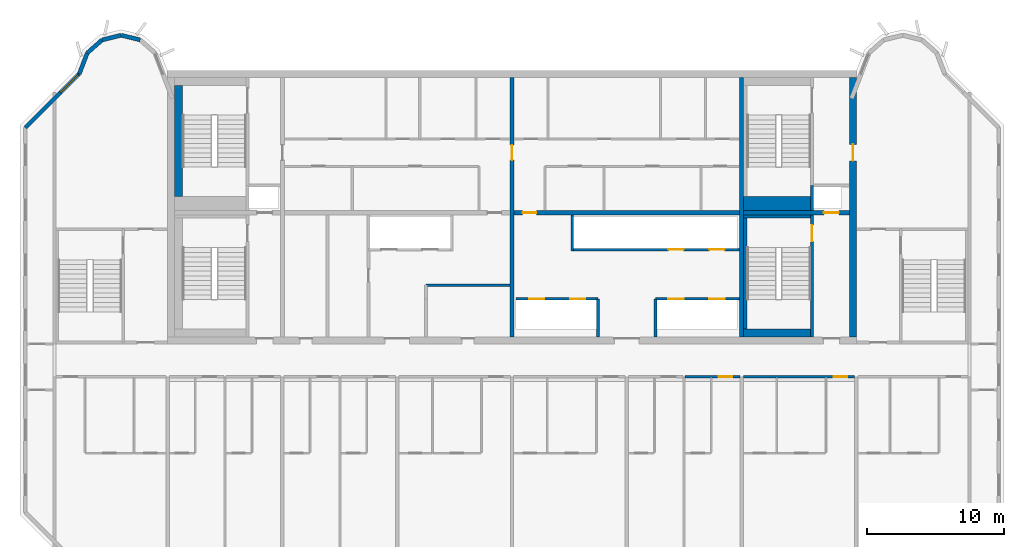
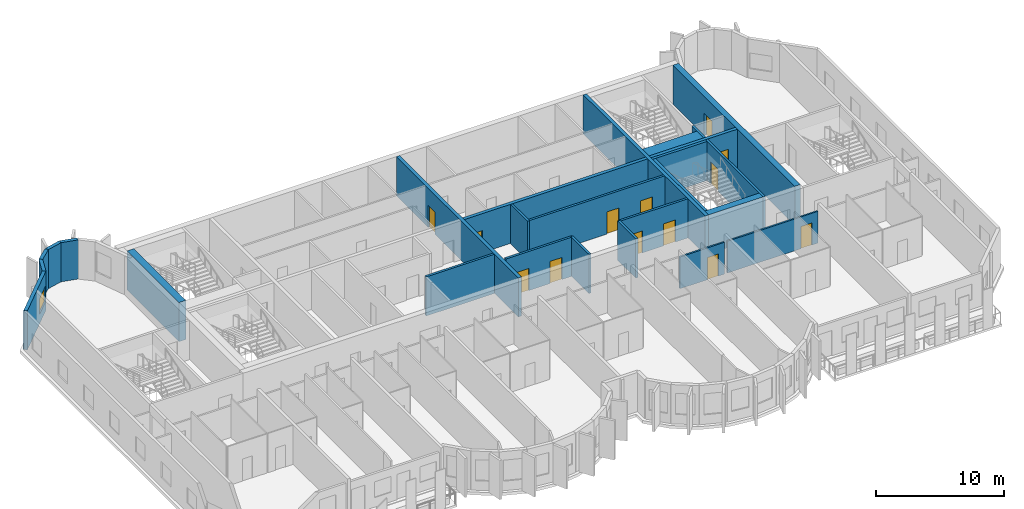
# One storey, part 6 of 12: 26 walls, 13 doors, 1 window, 14 openings.
"""IFC4 building model written with IfcOpenShell, lengths in metres."""

from ifc_helpers import new_model, si_unit, direction, frame, frame_2d, origin, place, context, subcontext, project, spatial, rectangle, extrude, source, transform, mapped, material, layer, layer_set, type_object, element, fill, save


model = new_model("IFC4")

# Units and contexts
model_context = context("Model", 3, precision=1e-05, world=origin(), true_north=direction((0.0, 1.0)))
body_context = subcontext(model_context, "Body", "Model", "MODEL_VIEW")
ifc_project = project(units=[si_unit("LENGTHUNIT", "METRE"), si_unit("AREAUNIT", "SQUARE_METRE"), si_unit("VOLUMEUNIT", "CUBIC_METRE"), si_unit("PLANEANGLEUNIT", "RADIAN"), si_unit("MASSUNIT", "GRAM", prefix="KILO")], contexts=[model_context])

# Site, building, storey
site_placement = place(None, origin())
site = spatial("IfcSite", under=ifc_project, at=site_placement, CompositionType="ELEMENT")
building_placement = place(site_placement, origin())
building = spatial("IfcBuilding", under=site, at=building_placement, Name="Vanashikhar Sky Hotel", CompositionType="ELEMENT")
storey_placement = place(building_placement, frame((0.0, 0.0, 293.699951171875)))
storey = spatial("IfcBuildingStorey", under=building, at=storey_placement, Name="L70", CompositionType="ELEMENT", Elevation=293.699951171875)

# Wall, opening, door
ifc_material_1 = material(Name="Concrete M50", Category="concrete")
ifc_layer_1 = layer(ifc_material_1, 0.5)
ifc_layer_set_1 = layer_set([ifc_layer_1], Name="RC core shell wall 500 Concrete M50")
wall_type_1 = type_object("IfcWallType", Name="RC core shell wall 500 Concrete M50", PredefinedType="SHEAR", material=ifc_layer_set_1)
shared_shape_1 = source(origin(), body_context, "Body", "SweptSolid", [
    extrude(rectangle(XDim=19.0, YDim=0.5, at=frame_2d((9.5, 0.0))), origin(), (0.0, 0.0, 1.0), 3.719970703125),
])
wall_1_placement = place(storey_placement, frame((75.35009765625, 22.5, 0.0), z_axis=(0.0, 0.0, 1.0), x_axis=(0.0, 1.0, 0.0)))
wall_1 = element("IfcWall", 1, at=wall_1_placement, inside=storey, type_object=wall_type_1, Name="KW-L70-KE", PredefinedType="SHEAR", context=body_context, shape_type="MappedRepresentation", body=[
    mapped(shared_shape_1, transform((0.0, 0.0, 0.0), scale=1.0)),
])
shared_shape_2 = source(origin(), body_context, "Body", "SweptSolid", [
    extrude(rectangle(XDim=1.199951171875, YDim=2.10009765625, at=frame_2d((0.60009765625, 1.050048828125))), frame((0.0, 0.260009765625, 0.0), z_axis=(0.0, -1.0, 0.0), x_axis=(1.0, 0.0, 0.0)), (0.0, 0.0, 1.0), 0.52001953125),
])
opening_1_placement = place(wall_1_placement, frame((12.89990234375, 0.0, 0.0)))
opening_1 = element("IfcOpeningElement", 2, at=opening_1_placement, cuts=wall_1, Name="Opening DC-4-D", PredefinedType="OPENING", context=body_context, shape_type="MappedRepresentation", body=[
    mapped(shared_shape_2, transform((0.0, 0.0, 0.0), scale=1.0)),
])
ifc_material_2 = material(Name="Steel", Category="steel")
door_type_1 = type_object("IfcDoorType", Name="Service door 1200 FD120", OperationType="NOTDEFINED", PredefinedType="DOOR", material=ifc_material_2)
shared_shape_3 = source(origin(), body_context, "Body", "SweptSolid", [
    extrude(rectangle(XDim=1.199951171875, YDim=2.10009765625, at=frame_2d((0.60009765625, 1.050048828125))), frame((0.0, 0.02490234375, 0.0), z_axis=(0.0, -1.0, 0.0), x_axis=(1.0, 0.0, 0.0)), (0.0, 0.0, 1.0), 0.050048828125),
])
door_1_placement = place(opening_1_placement, origin())
door_1 = element("IfcDoor", 3, at=door_1_placement, inside=storey, type_object=door_type_1, Name="Service door 1200 FD120", OperationType="SINGLE_SWING_LEFT", OverallHeight=2.10009765625, OverallWidth=1.199951171875, PredefinedType="DOOR", context=body_context, shape_type="MappedRepresentation", body=[
    mapped(shared_shape_3, transform((0.0, 0.0, 0.0), scale=1.0)),
])
fill(opening_1, door_1)

ifc_layer_2 = layer(ifc_material_1, 0.300048828125)
ifc_layer_set_2 = layer_set([ifc_layer_2], Name="RC core inner wall 300 Concrete M50")
wall_type_2 = type_object("IfcWallType", Name="RC core inner wall 300 Concrete M50", PredefinedType="SHEAR", material=ifc_layer_set_2)
shared_shape_4 = source(origin(), body_context, "Body", "SweptSolid", [
    extrude(rectangle(XDim=19.0, YDim=0.300048828125, at=frame_2d((9.5, 0.0))), origin(), (0.0, 0.0, 1.0), 3.719970703125),
])
wall_2_placement = place(storey_placement, frame((50.39990234375, 22.5, 0.0), z_axis=(0.0, 0.0, 1.0), x_axis=(0.0, 1.0, 0.0)))
wall_2 = element("IfcWall", 4, at=wall_2_placement, inside=storey, type_object=wall_type_2, Name="KW-L70-KX2", PredefinedType="SHEAR", context=body_context, shape_type="MappedRepresentation", body=[
    mapped(shared_shape_4, transform((0.0, 0.0, 0.0), scale=1.0)),
])
shared_shape_5 = source(origin(), body_context, "Body", "SweptSolid", [
    extrude(rectangle(XDim=1.10009765625, YDim=2.10009765625, at=frame_2d((0.550048828125, 1.050048828125))), frame((0.0, 0.16015625, 0.0), z_axis=(0.0, -1.0, 0.0), x_axis=(1.0, 0.0, 0.0)), (0.0, 0.0, 1.0), 0.320068359375),
])
opening_2_placement = place(wall_2_placement, frame((12.949951171875, 0.0, 0.0)))
opening_2 = element("IfcOpeningElement", 5, at=opening_2_placement, cuts=wall_2, Name="Opening DC-4-C", PredefinedType="OPENING", context=body_context, shape_type="MappedRepresentation", body=[
    mapped(shared_shape_5, transform((0.0, 0.0, 0.0), scale=1.0)),
])
door_type_2 = type_object("IfcDoorType", Name="Service door 1100 FD60", OperationType="NOTDEFINED", PredefinedType="DOOR", material=ifc_material_2)
shared_shape_6 = source(origin(), body_context, "Body", "SweptSolid", [
    extrude(rectangle(XDim=1.10009765625, YDim=2.10009765625, at=frame_2d((0.550048828125, 1.050048828125))), frame((0.0, 0.02490234375, 0.0), z_axis=(0.0, -1.0, 0.0), x_axis=(1.0, 0.0, 0.0)), (0.0, 0.0, 1.0), 0.050048828125),
])
door_2_placement = place(opening_2_placement, origin())
door_2 = element("IfcDoor", 6, at=door_2_placement, inside=storey, type_object=door_type_2, Name="Service door 1100 FD60", OperationType="SINGLE_SWING_LEFT", OverallHeight=2.10009765625, OverallWidth=1.10009765625, PredefinedType="DOOR", context=body_context, shape_type="MappedRepresentation", body=[
    mapped(shared_shape_6, transform((0.0, 0.0, 0.0), scale=1.0)),
])
fill(opening_2, door_2)

# Wall
wall_3_placement = place(storey_placement, frame((67.199951171875, 22.5, 0.0), z_axis=(0.0, 0.0, 1.0), x_axis=(0.0, 1.0, 0.0)))
element("IfcWall", 7, at=wall_3_placement, inside=storey, type_object=wall_type_2, Name="KW-L70-KX3", PredefinedType="SHEAR", context=body_context, shape_type="MappedRepresentation", body=[
    mapped(shared_shape_4, transform((0.0, 0.0, 0.0), scale=1.0)),
])

# Wall, opening, door
shared_shape_7 = source(origin(), body_context, "Body", "SweptSolid", [
    extrude(rectangle(XDim=7.75, YDim=0.300048828125, at=frame_2d((3.875, 0.0))), origin(), (0.0, 0.0, 1.0), 3.719970703125),
])
wall_4_placement = place(storey_placement, frame((67.35009765625, 31.60009765625, 0.0), z_axis=(0.0, 0.0, 1.0), x_axis=(1.0, 0.0, 0.0)))
wall_4 = element("IfcWall", 8, at=wall_4_placement, inside=storey, type_object=wall_type_2, Name="KW-L70-KY4", PredefinedType="SHEAR", context=body_context, shape_type="MappedRepresentation", body=[
    mapped(shared_shape_7, transform((0.0, 0.0, 0.0), scale=1.0)),
])
opening_3_placement = place(wall_4_placement, frame((5.875, 0.0, 0.0)))
opening_3 = element("IfcOpeningElement", 9, at=opening_3_placement, cuts=wall_4, Name="Opening LD", PredefinedType="OPENING", context=body_context, shape_type="MappedRepresentation", body=[
    mapped(shared_shape_5, transform((0.0, 0.0, 0.0), scale=1.0)),
])
ifc_material_3 = material(Name="Stainless steel", Category="steel")
door_type_3 = type_object("IfcDoorType", Name="Lift landing door 1100", OperationType="NOTDEFINED", PredefinedType="DOOR", material=ifc_material_3)
door_3_placement = place(opening_3_placement, origin())
door_3 = element("IfcDoor", 10, at=door_3_placement, inside=storey, type_object=door_type_3, Name="Lift landing door 1100", OperationType="SLIDING_TO_LEFT", OverallHeight=2.10009765625, OverallWidth=1.10009765625, PredefinedType="DOOR", context=body_context, shape_type="MappedRepresentation", body=[
    mapped(shared_shape_6, transform((0.0, 0.0, 0.0), scale=1.0)),
])
fill(opening_3, door_3)

shared_shape_8 = source(origin(), body_context, "Body", "SweptSolid", [
    extrude(rectangle(XDim=16.5, YDim=0.300048828125, at=frame_2d((8.25, 0.0))), origin(), (0.0, 0.0, 1.0), 3.719970703125),
])
wall_5_placement = place(storey_placement, frame((50.550048828125, 31.60009765625, 0.0), z_axis=(0.0, 0.0, 1.0), x_axis=(1.0, 0.0, 0.0)))
wall_5 = element("IfcWall", 11, at=wall_5_placement, inside=storey, type_object=wall_type_2, Name="KW-L70-KY3", PredefinedType="SHEAR", context=body_context, shape_type="MappedRepresentation", body=[
    mapped(shared_shape_8, transform((0.0, 0.0, 0.0), scale=1.0)),
])
shared_shape_9 = source(origin(), body_context, "Body", "SweptSolid", [
    extrude(rectangle(XDim=1.0, YDim=2.10009765625, at=frame_2d((0.5, 1.050048828125))), frame((0.0, 0.16015625, 0.0), z_axis=(0.0, -1.0, 0.0), x_axis=(1.0, 0.0, 0.0)), (0.0, 0.0, 1.0), 0.320068359375),
])
opening_4_placement = place(wall_5_placement, frame((0.625, 0.0, 0.0)))
opening_4 = element("IfcOpeningElement", 12, at=opening_4_placement, cuts=wall_5, Name="Opening DC-4", PredefinedType="OPENING", context=body_context, shape_type="MappedRepresentation", body=[
    mapped(shared_shape_9, transform((0.0, 0.0, 0.0), scale=1.0)),
])
door_type_4 = type_object("IfcDoorType", Name="Service door 1000 FD60", OperationType="NOTDEFINED", PredefinedType="DOOR", material=ifc_material_2)
shared_shape_10 = source(origin(), body_context, "Body", "SweptSolid", [
    extrude(rectangle(XDim=1.0, YDim=2.10009765625, at=frame_2d((0.5, 1.050048828125))), frame((0.0, 0.02490234375, 0.0), z_axis=(0.0, -1.0, 0.0), x_axis=(1.0, 0.0, 0.0)), (0.0, 0.0, 1.0), 0.050048828125),
])
door_4_placement = place(opening_4_placement, origin())
door_4 = element("IfcDoor", 13, at=door_4_placement, inside=storey, type_object=door_type_4, Name="Service door 1000 FD60", OperationType="SINGLE_SWING_RIGHT", OverallHeight=2.10009765625, OverallWidth=1.0, PredefinedType="DOOR", context=body_context, shape_type="MappedRepresentation", body=[
    mapped(shared_shape_10, transform((0.0, 0.0, 0.0), scale=1.0)),
])
fill(opening_4, door_4)

# Wall, opening, window
ifc_layer_3 = layer(ifc_material_1, 0.300048828125)
ifc_layer_set_3 = layer_set([ifc_layer_3], Name="Lobe wall 300")
wall_type_3 = type_object("IfcWallType", Name="Lobe wall 300", PredefinedType="SOLIDWALL", material=ifc_layer_set_3)
shared_shape_11 = source(origin(), body_context, "Body", "SweptSolid", [
    extrude(rectangle(XDim=5.576416015625, YDim=0.300048828125, at=frame_2d((2.7880859375, 0.0))), origin(), (0.0, 0.0, 1.0), 3.719970703125),
])
wall_6_placement = place(storey_placement, frame((18.7431640625, 41.77734375, 0.0), z_axis=(0.0, 0.0, 1.0), x_axis=(-0.707106781187, -0.707106781187, 0.0)))
wall_6 = element("IfcWall", 14, at=wall_6_placement, inside=storey, type_object=wall_type_3, Name="Corner wall", PredefinedType="SOLIDWALL", context=body_context, shape_type="MappedRepresentation", body=[
    mapped(shared_shape_11, transform((0.0, 0.0, 0.0), scale=1.0)),
])
shared_shape_12 = source(origin(), body_context, "Body", "SweptSolid", [
    extrude(rectangle(XDim=1.800048828125, YDim=1.5, at=frame_2d((0.89990234375, 0.75))), frame((0.0, 0.16015625, 0.0), z_axis=(0.0, -1.0, 0.0), x_axis=(1.0, 0.0, 0.0)), (0.0, 0.0, 1.0), 0.320068359375),
])
opening_5_placement = place(wall_6_placement, frame((0.135498046875, 0.0, 0.89990234375)))
opening_5 = element("IfcOpeningElement", 15, at=opening_5_placement, cuts=wall_6, Name="Opening WN-4", PredefinedType="OPENING", context=body_context, shape_type="MappedRepresentation", body=[
    mapped(shared_shape_12, transform((0.0, 0.0, 0.0), scale=1.0)),
])
ifc_material_4 = material(Name="Glass", Category="glass")
window_type = type_object("IfcWindowType", Name="Corner window 1800 x 1500", PartitioningType="SINGLE_PANEL", PredefinedType="WINDOW", material=ifc_material_4)
shared_shape_13 = source(origin(), body_context, "Body", "SweptSolid", [
    extrude(rectangle(XDim=1.800048828125, YDim=1.5, at=frame_2d((0.89990234375, 0.75))), frame((0.0, 0.030029296875, 0.0), z_axis=(0.0, -1.0, 0.0), x_axis=(1.0, 0.0, 0.0)), (0.0, 0.0, 1.0), 0.06005859375),
])
window_placement = place(opening_5_placement, origin())
window = element("IfcWindow", 16, at=window_placement, inside=storey, type_object=window_type, Name="Window WN-4", OverallHeight=1.5, OverallWidth=1.800048828125, PartitioningType="SINGLE_PANEL", PredefinedType="WINDOW", context=body_context, shape_type="MappedRepresentation", body=[
    mapped(shared_shape_13, transform((0.0, 0.0, 0.0), scale=1.0)),
])
fill(opening_5, window)

# Walls
shared_shape_14 = source(origin(), body_context, "Body", "SweptSolid", [
    extrude(rectangle(XDim=1.6220703125, YDim=0.300048828125, at=frame_2d((0.81103515625, 0.0))), origin(), (0.0, 0.0, 1.0), 3.719970703125),
])
wall_7_placement = place(storey_placement, frame((19.323486328125, 43.2919921875, 0.0), z_axis=(0.0, 0.0, 1.0), x_axis=(-0.357778527068, -0.933806471154, 0.0)))
element("IfcWall", 17, at=wall_7_placement, inside=storey, type_object=wall_type_3, Name="Lobe wall", PredefinedType="SOLIDWALL", context=body_context, shape_type="MappedRepresentation", body=[
    mapped(shared_shape_14, transform((0.0, 0.0, 0.0), scale=1.0)),
])
shared_shape_15 = source(origin(), body_context, "Body", "SweptSolid", [
    extrude(rectangle(XDim=1.43994140625, YDim=0.300048828125, at=frame_2d((0.719970703125, 0.0))), origin(), (0.0, 0.0, 1.0), 3.719970703125),
])
wall_8_placement = place(storey_placement, frame((20.40283203125, 44.2451171875, 0.0), z_axis=(0.0, 0.0, 1.0), x_axis=(-0.74957555648, -0.661918790432, 0.0)))
element("IfcWall", 18, at=wall_8_placement, inside=storey, type_object=wall_type_3, Name="Lobe wall", PredefinedType="SOLIDWALL", context=body_context, shape_type="MappedRepresentation", body=[
    mapped(shared_shape_15, transform((0.0, 0.0, 0.0), scale=1.0)),
])
shared_shape_16 = source(origin(), body_context, "Body", "SweptSolid", [
    extrude(rectangle(XDim=1.438720703125, YDim=0.300048828125, at=frame_2d((0.71923828125, 0.0))), origin(), (0.0, 0.0, 1.0), 3.719970703125),
])
wall_9_placement = place(storey_placement, frame((21.800048828125, 44.588134765625, 0.0), z_axis=(0.0, 0.0, 1.0), x_axis=(-0.971161932466, -0.238420848351, 0.0)))
element("IfcWall", 19, at=wall_9_placement, inside=storey, type_object=wall_type_3, Name="Lobe wall", PredefinedType="SOLIDWALL", context=body_context, shape_type="MappedRepresentation", body=[
    mapped(shared_shape_16, transform((0.0, 0.0, 0.0), scale=1.0)),
])
shared_shape_17 = source(origin(), body_context, "Body", "SweptSolid", [
    extrude(rectangle(XDim=1.4384765625, YDim=0.300048828125, at=frame_2d((0.71923828125, 0.0))), origin(), (0.0, 0.0, 1.0), 3.719970703125),
])
wall_10_placement = place(storey_placement, frame((23.197021484375, 44.2451171875, 0.0), z_axis=(0.0, 0.0, 1.0), x_axis=(-0.971152283879, 0.238460146601, 0.0)))
element("IfcWall", 20, at=wall_10_placement, inside=storey, type_object=wall_type_3, Name="Lobe wall", PredefinedType="SOLIDWALL", context=body_context, shape_type="MappedRepresentation", body=[
    mapped(shared_shape_17, transform((0.0, 0.0, 0.0), scale=1.0)),
])

# Wall, openings, doors
ifc_material_5 = material(Name="Concrete M40", Category="concrete")
ifc_layer_4 = layer(ifc_material_5, 0.199951171875)
ifc_layer_set_4 = layer_set([ifc_layer_4], Name="Shaft wall 200")
wall_type_4 = type_object("IfcWallType", Name="Shaft wall 200", PredefinedType="SOLIDWALL", material=ifc_layer_set_4)
shared_shape_18 = source(origin(), body_context, "Body", "SweptSolid", [
    extrude(rectangle(XDim=6.0, YDim=0.199951171875, at=frame_2d((3.0, 0.0))), origin(), (0.0, 0.0, 1.0), 3.719970703125),
])
wall_11_placement = place(storey_placement, frame((56.699951171875, 25.300048828125, 0.0), z_axis=(0.0, 0.0, 1.0), x_axis=(-1.0, 0.0, 0.0)))
wall_11 = element("IfcWall", 21, at=wall_11_placement, inside=storey, type_object=wall_type_4, Name="Shaft wall 200", PredefinedType="SOLIDWALL", context=body_context, shape_type="MappedRepresentation", body=[
    mapped(shared_shape_18, transform((0.0, 0.0, 0.0), scale=1.0)),
])
shared_shape_19 = source(origin(), body_context, "Body", "SweptSolid", [
    extrude(rectangle(XDim=1.10009765625, YDim=2.10009765625, at=frame_2d((0.550048828125, 1.050048828125))), frame((0.0, 0.10986328125, 0.0), z_axis=(0.0, -1.0, 0.0), x_axis=(1.0, 0.0, 0.0)), (0.0, 0.0, 1.0), 0.219970703125),
])
opening_6_placement = place(wall_11_placement, frame((0.949951171875, 0.0, 0.0)))
opening_6 = element("IfcOpeningElement", 22, at=opening_6_placement, cuts=wall_11, Name="Opening LD", PredefinedType="OPENING", context=body_context, shape_type="MappedRepresentation", body=[
    mapped(shared_shape_19, transform((0.0, 0.0, 0.0), scale=1.0)),
])
opening_7_placement = place(wall_11_placement, frame((3.949951171875, 0.0, 0.0)))
opening_7 = element("IfcOpeningElement", 23, at=opening_7_placement, cuts=wall_11, Name="Opening LD", PredefinedType="OPENING", context=body_context, shape_type="MappedRepresentation", body=[
    mapped(shared_shape_19, transform((0.0, 0.0, 0.0), scale=1.0)),
])
door_5_placement = place(opening_6_placement, origin())
door_5 = element("IfcDoor", 24, at=door_5_placement, inside=storey, type_object=door_type_3, Name="Lift landing door 1100", OperationType="SLIDING_TO_RIGHT", OverallHeight=2.10009765625, OverallWidth=1.10009765625, PredefinedType="DOOR", context=body_context, shape_type="MappedRepresentation", body=[
    mapped(shared_shape_6, transform((0.0, 0.0, 0.0), scale=1.0)),
])
fill(opening_6, door_5)
door_6_placement = place(opening_7_placement, origin())
door_6 = element("IfcDoor", 25, at=door_6_placement, inside=storey, type_object=door_type_3, Name="Lift landing door 1100", OperationType="SLIDING_TO_LEFT", OverallHeight=2.10009765625, OverallWidth=1.10009765625, PredefinedType="DOOR", context=body_context, shape_type="MappedRepresentation", body=[
    mapped(shared_shape_6, transform((0.0, 0.0, 0.0), scale=1.0)),
])
fill(opening_7, door_6)

# Walls
shared_shape_20 = source(origin(), body_context, "Body", "SweptSolid", [
    extrude(rectangle(XDim=2.800048828125, YDim=0.199951171875, at=frame_2d((1.39990234375, 0.0))), origin(), (0.0, 0.0, 1.0), 3.719970703125),
])
for number, where, z_axis, x_axis, name in (
    (26, (60.89990234375, 22.5, 0.0), (0.0, 0.0, 1.0), (0.0, 1.0, 0.0), "Shaft wall 200"),
    (27, (56.699951171875, 22.5, 0.0), (0.0, 0.0, 1.0), (0.0, 1.0, 0.0), "Shaft wall 200"),
):
    element("IfcWall", number, at=place(storey_placement, frame(where, z_axis=z_axis, x_axis=x_axis)), inside=storey, type_object=wall_type_4, Name=name, PredefinedType="SOLIDWALL", context=body_context, shape_type="MappedRepresentation", body=[
        mapped(shared_shape_20, transform((0.0, 0.0, 0.0), scale=1.0)),
    ])
shared_shape_21 = source(origin(), body_context, "Body", "SweptSolid", [
    extrude(rectangle(XDim=2.64990234375, YDim=0.199951171875, at=frame_2d((1.324951171875, 0.0))), origin(), (0.0, 0.0, 1.0), 3.719970703125),
])
wall_12_placement = place(storey_placement, frame((54.800048828125, 28.800048828125, 0.0), z_axis=(0.0, 0.0, 1.0), x_axis=(0.0, 1.0, 0.0)))
element("IfcWall", 28, at=wall_12_placement, inside=storey, type_object=wall_type_4, Name="Shaft wall 200", PredefinedType="SOLIDWALL", context=body_context, shape_type="MappedRepresentation", body=[
    mapped(shared_shape_21, transform((0.0, 0.0, 0.0), scale=1.0)),
])
ifc_material_6 = material(Name="Gypsum board partition")
ifc_layer_5 = layer(ifc_material_6, 0.14990234375)
ifc_layer_set_5 = layer_set([ifc_layer_5], Name="Service partition 150")
wall_type_5 = type_object("IfcWallType", Name="Service partition 150", PredefinedType="PARTITIONING", material=ifc_layer_set_5)
shared_shape_22 = source(origin(), body_context, "Body", "SweptSolid", [
    extrude(rectangle(XDim=6.14990234375, YDim=0.199951171875, at=frame_2d((3.074951171875, 0.0))), origin(), (0.0, 0.0, 1.0), 3.719970703125),
])
wall_13_placement = place(storey_placement, frame((44.10009765625, 26.300048828125, 0.0), z_axis=(0.0, 0.0, 1.0), x_axis=(1.0, 0.0, 0.0)))
element("IfcWall", 29, at=wall_13_placement, inside=storey, type_object=wall_type_5, Name="Service partition 150", PredefinedType="PARTITIONING", context=body_context, shape_type="MappedRepresentation", body=[
    mapped(shared_shape_22, transform((0.0, 0.0, 0.0), scale=1.0)),
])

# Wall, openings, doors
shared_shape_23 = source(origin(), body_context, "Body", "SweptSolid", [
    extrude(rectangle(XDim=6.150146484375, YDim=0.199951171875, at=frame_2d((3.0751953125, 0.0))), origin(), (0.0, 0.0, 1.0), 3.719970703125),
])
wall_14_placement = place(storey_placement, frame((67.050048828125, 25.300048828125, 0.0), z_axis=(0.0, 0.0, 1.0), x_axis=(-1.0, 0.0, 0.0)))
wall_14 = element("IfcWall", 30, at=wall_14_placement, inside=storey, type_object=wall_type_4, Name="Shaft wall 200", PredefinedType="SOLIDWALL", context=body_context, shape_type="MappedRepresentation", body=[
    mapped(shared_shape_23, transform((0.0, 0.0, 0.0), scale=1.0)),
])
opening_8_placement = place(wall_14_placement, frame((1.10009765625, 0.0, 0.0)))
opening_8 = element("IfcOpeningElement", 31, at=opening_8_placement, cuts=wall_14, Name="Opening LD", PredefinedType="OPENING", context=body_context, shape_type="MappedRepresentation", body=[
    mapped(shared_shape_19, transform((0.0, 0.0, 0.0), scale=1.0)),
])
opening_9_placement = place(wall_14_placement, frame((4.10009765625, 0.0, 0.0)))
opening_9 = element("IfcOpeningElement", 32, at=opening_9_placement, cuts=wall_14, Name="Opening LD", PredefinedType="OPENING", context=body_context, shape_type="MappedRepresentation", body=[
    mapped(shared_shape_19, transform((0.0, 0.0, 0.0), scale=1.0)),
])
door_7_placement = place(opening_8_placement, origin())
door_7 = element("IfcDoor", 33, at=door_7_placement, inside=storey, type_object=door_type_3, Name="Lift landing door 1100", OperationType="SLIDING_TO_RIGHT", OverallHeight=2.10009765625, OverallWidth=1.10009765625, PredefinedType="DOOR", context=body_context, shape_type="MappedRepresentation", body=[
    mapped(shared_shape_6, transform((0.0, 0.0, 0.0), scale=1.0)),
])
fill(opening_8, door_7)
door_8_placement = place(opening_9_placement, origin())
door_8 = element("IfcDoor", 34, at=door_8_placement, inside=storey, type_object=door_type_3, Name="Lift landing door 1100", OperationType="SLIDING_TO_LEFT", OverallHeight=2.10009765625, OverallWidth=1.10009765625, PredefinedType="DOOR", context=body_context, shape_type="MappedRepresentation", body=[
    mapped(shared_shape_6, transform((0.0, 0.0, 0.0), scale=1.0)),
])
fill(opening_9, door_8)

shared_shape_24 = source(origin(), body_context, "Body", "SweptSolid", [
    extrude(rectangle(XDim=12.150146484375, YDim=0.199951171875, at=frame_2d((6.0751953125, 0.0))), origin(), (0.0, 0.0, 1.0), 3.719970703125),
])
wall_15_placement = place(storey_placement, frame((67.050048828125, 28.89990234375, 0.0), z_axis=(0.0, 0.0, 1.0), x_axis=(-1.0, 0.0, 0.0)))
wall_15 = element("IfcWall", 35, at=wall_15_placement, inside=storey, type_object=wall_type_4, Name="Shaft wall 200", PredefinedType="SOLIDWALL", context=body_context, shape_type="MappedRepresentation", body=[
    mapped(shared_shape_24, transform((0.0, 0.0, 0.0), scale=1.0)),
])
opening_10_placement = place(wall_15_placement, frame((1.10009765625, 0.0, 0.0)))
opening_10 = element("IfcOpeningElement", 36, at=opening_10_placement, cuts=wall_15, Name="Opening LD", PredefinedType="OPENING", context=body_context, shape_type="MappedRepresentation", body=[
    mapped(shared_shape_19, transform((0.0, 0.0, 0.0), scale=1.0)),
])
opening_11_placement = place(wall_15_placement, frame((4.10009765625, 0.0, 0.0)))
opening_11 = element("IfcOpeningElement", 37, at=opening_11_placement, cuts=wall_15, Name="Opening LD", PredefinedType="OPENING", context=body_context, shape_type="MappedRepresentation", body=[
    mapped(shared_shape_19, transform((0.0, 0.0, 0.0), scale=1.0)),
])
door_9_placement = place(opening_10_placement, origin())
door_9 = element("IfcDoor", 38, at=door_9_placement, inside=storey, type_object=door_type_3, Name="Lift landing door 1100", OperationType="SLIDING_TO_RIGHT", OverallHeight=2.10009765625, OverallWidth=1.10009765625, PredefinedType="DOOR", context=body_context, shape_type="MappedRepresentation", body=[
    mapped(shared_shape_6, transform((0.0, 0.0, 0.0), scale=1.0)),
])
fill(opening_10, door_9)
door_10_placement = place(opening_11_placement, origin())
door_10 = element("IfcDoor", 39, at=door_10_placement, inside=storey, type_object=door_type_3, Name="Lift landing door 1100", OperationType="SLIDING_TO_LEFT", OverallHeight=2.10009765625, OverallWidth=1.10009765625, PredefinedType="DOOR", context=body_context, shape_type="MappedRepresentation", body=[
    mapped(shared_shape_6, transform((0.0, 0.0, 0.0), scale=1.0)),
])
fill(opening_11, door_10)

# Wall, opening, door
ifc_layer_6 = layer(ifc_material_1, 0.199951171875)
ifc_layer_set_6 = layer_set([ifc_layer_6], Name="Stair wall 200")
wall_type_6 = type_object("IfcWallType", Name="Stair wall 200", PredefinedType="SOLIDWALL", material=ifc_layer_set_6)
shared_shape_25 = source(origin(), body_context, "Body", "SweptSolid", [
    extrude(rectangle(XDim=8.949951171875, YDim=0.199951171875, at=frame_2d((4.47509765625, 0.0))), origin(), (0.0, 0.0, 1.0), 3.719970703125),
])
wall_16_placement = place(storey_placement, frame((72.35009765625, 22.5, 0.0), z_axis=(0.0, 0.0, 1.0), x_axis=(0.0, 1.0, 0.0)))
wall_16 = element("IfcWall", 40, at=wall_16_placement, inside=storey, type_object=wall_type_6, Name="Stair wall 200", PredefinedType="SOLIDWALL", context=body_context, shape_type="MappedRepresentation", body=[
    mapped(shared_shape_25, transform((0.0, 0.0, 0.0), scale=1.0)),
])
shared_shape_26 = source(origin(), body_context, "Body", "SweptSolid", [
    extrude(rectangle(XDim=1.199951171875, YDim=2.10009765625, at=frame_2d((0.60009765625, 1.050048828125))), frame((0.0, 0.10986328125, 0.0), z_axis=(0.0, -1.0, 0.0), x_axis=(1.0, 0.0, 0.0)), (0.0, 0.0, 1.0), 0.219970703125),
])
opening_12_placement = place(wall_16_placement, frame((7.0, 0.0, 0.0)))
opening_12 = element("IfcOpeningElement", 41, at=opening_12_placement, cuts=wall_16, Name="Opening DC-1", PredefinedType="OPENING", context=body_context, shape_type="MappedRepresentation", body=[
    mapped(shared_shape_26, transform((0.0, 0.0, 0.0), scale=1.0)),
])
door_type_5 = type_object("IfcDoorType", Name="Stair door 1200 FD120", OperationType="NOTDEFINED", PredefinedType="DOOR", material=ifc_material_2)
door_11_placement = place(opening_12_placement, origin())
door_11 = element("IfcDoor", 42, at=door_11_placement, inside=storey, type_object=door_type_5, Name="Stair door 1200 FD120", OperationType="SINGLE_SWING_RIGHT", OverallHeight=2.10009765625, OverallWidth=1.199951171875, PredefinedType="DOOR", context=body_context, shape_type="MappedRepresentation", body=[
    mapped(shared_shape_3, transform((0.0, 0.0, 0.0), scale=1.0)),
])
fill(opening_12, door_11)

# Walls
shared_shape_27 = source(origin(), body_context, "Body", "SweptSolid", [
    extrude(rectangle(XDim=1.85009765625, YDim=0.199951171875, at=frame_2d((0.925048828125, 0.0))), origin(), (0.0, 0.0, 1.0), 3.719970703125),
])
wall_17_placement = place(storey_placement, frame((72.35009765625, 31.75, 0.0), z_axis=(0.0, 0.0, 1.0), x_axis=(0.0, 1.0, 0.0)))
element("IfcWall", 43, at=wall_17_placement, inside=storey, type_object=wall_type_4, Name="Shaft wall 200", PredefinedType="SOLIDWALL", context=body_context, shape_type="MappedRepresentation", body=[
    mapped(shared_shape_27, transform((0.0, 0.0, 0.0), scale=1.0)),
])
ifc_layer_7 = layer(ifc_material_1, 0.60009765625)
ifc_layer_set_7 = layer_set([ifc_layer_7], Name="Stair infill wall 600")
wall_type_7 = type_object("IfcWallType", Name="Stair infill wall 600", PredefinedType="SOLIDWALL", material=ifc_layer_set_7)
shared_shape_28 = source(origin(), body_context, "Body", "SweptSolid", [
    extrude(rectangle(XDim=8.099853515625, YDim=0.60009765625, at=frame_2d((4.0498046875, 0.0))), origin(), (0.0, 0.0, 1.0), 3.719970703125),
])
wall_18_placement = place(storey_placement, frame((26.0, 32.800048828125, 0.0), z_axis=(0.0, 0.0, 1.0), x_axis=(0.0, 1.0, 0.0)))
element("IfcWall", 44, at=wall_18_placement, inside=storey, type_object=wall_type_7, Name="Stair infill wall 600", PredefinedType="SOLIDWALL", context=body_context, shape_type="MappedRepresentation", body=[
    mapped(shared_shape_28, transform((0.0, 0.0, 0.0), scale=1.0)),
])
shared_shape_29 = source(origin(), body_context, "Body", "SweptSolid", [
    extrude(rectangle(XDim=4.89990234375, YDim=0.60009765625, at=frame_2d((2.449951171875, 0.0))), origin(), (0.0, 0.0, 1.0), 3.719970703125),
])
wall_19_placement = place(storey_placement, frame((67.35009765625, 22.800048828125, 0.0), z_axis=(0.0, 0.0, 1.0), x_axis=(1.0, 0.0, 0.0)))
element("IfcWall", 45, at=wall_19_placement, inside=storey, type_object=wall_type_7, Name="Stair infill wall 600", PredefinedType="SOLIDWALL", context=body_context, shape_type="MappedRepresentation", body=[
    mapped(shared_shape_29, transform((0.0, 0.0, 0.0), scale=1.0)),
])
ifc_layer_8 = layer(ifc_material_1, 0.25)
ifc_layer_set_8 = layer_set([ifc_layer_8], Name="Stair infill wall 250")
wall_type_8 = type_object("IfcWallType", Name="Stair infill wall 250", PredefinedType="SOLIDWALL", material=ifc_layer_set_8)
shared_shape_30 = source(origin(), body_context, "Body", "SweptSolid", [
    extrude(rectangle(XDim=4.89990234375, YDim=0.25, at=frame_2d((2.449951171875, 0.0))), origin(), (0.0, 0.0, 1.0), 3.719970703125),
])
wall_20_placement = place(storey_placement, frame((67.35009765625, 31.324951171875, 0.0), z_axis=(0.0, 0.0, 1.0), x_axis=(1.0, 0.0, 0.0)))
element("IfcWall", 46, at=wall_20_placement, inside=storey, type_object=wall_type_8, Name="Stair infill wall 250", PredefinedType="SOLIDWALL", context=body_context, shape_type="MappedRepresentation", body=[
    mapped(shared_shape_30, transform((0.0, 0.0, 0.0), scale=1.0)),
])
shared_shape_31 = source(origin(), body_context, "Body", "SweptSolid", [
    extrude(rectangle(XDim=8.099853515625, YDim=0.25, at=frame_2d((4.0498046875, 0.0))), origin(), (0.0, 0.0, 1.0), 3.719970703125),
])
wall_21_placement = place(storey_placement, frame((67.47509765625, 23.10009765625, 0.0), z_axis=(0.0, 0.0, 1.0), x_axis=(0.0, 1.0, 0.0)))
element("IfcWall", 47, at=wall_21_placement, inside=storey, type_object=wall_type_8, Name="Stair infill wall 250", PredefinedType="SOLIDWALL", context=body_context, shape_type="MappedRepresentation", body=[
    mapped(shared_shape_31, transform((0.0, 0.0, 0.0), scale=1.0)),
])
ifc_layer_9 = layer(ifc_material_1, 1.050048828125)
ifc_layer_set_9 = layer_set([ifc_layer_9], Name="Stair infill wall 1050")
wall_type_9 = type_object("IfcWallType", Name="Stair infill wall 1050", PredefinedType="SOLIDWALL", material=ifc_layer_set_9)
shared_shape_32 = source(origin(), body_context, "Body", "SweptSolid", [
    extrude(rectangle(XDim=4.89990234375, YDim=1.050048828125, at=frame_2d((2.449951171875, 0.0))), origin(), (0.0, 0.0, 1.0), 3.719970703125),
])
wall_22_placement = place(storey_placement, frame((67.35009765625, 32.27490234375, 0.0), z_axis=(0.0, 0.0, 1.0), x_axis=(1.0, 0.0, 0.0)))
element("IfcWall", 48, at=wall_22_placement, inside=storey, type_object=wall_type_9, Name="Stair infill wall 1050", PredefinedType="SOLIDWALL", context=body_context, shape_type="MappedRepresentation", body=[
    mapped(shared_shape_32, transform((0.0, 0.0, 0.0), scale=1.0)),
])

# Wall, opening, door
ifc_material_7 = material(Name="Gypsum plasterboard partition")
ifc_layer_10 = layer(ifc_material_7, 0.14990234375)
ifc_layer_set_10 = layer_set([ifc_layer_10], Name="Corridor and demising partition 150")
wall_type_10 = type_object("IfcWallType", Name="Corridor and demising partition 150", PredefinedType="PARTITIONING", material=ifc_layer_set_10)
shared_shape_33 = source(origin(), body_context, "Body", "SweptSolid", [
    extrude(rectangle(XDim=8.150146484375, YDim=0.14990234375, at=frame_2d((4.0751953125, 0.0))), origin(), (0.0, 0.0, 1.0), 3.02001953125),
])
wall_23_placement = place(storey_placement, frame((67.324951171875, 19.60009765625, 0.0), z_axis=(0.0, 0.0, 1.0), x_axis=(1.0, 0.0, 0.0)))
wall_23 = element("IfcWall", 49, at=wall_23_placement, inside=storey, type_object=wall_type_10, Name="W-L70-PW041", PredefinedType="PARTITIONING", context=body_context, shape_type="MappedRepresentation", body=[
    mapped(shared_shape_33, transform((0.0, 0.0, 0.0), scale=1.0)),
])
shared_shape_34 = source(origin(), body_context, "Body", "SweptSolid", [
    extrude(rectangle(XDim=1.0, YDim=2.10009765625, at=frame_2d((0.5, 1.050048828125))), frame((0.0, 0.0849609375, 0.0), z_axis=(0.0, -1.0, 0.0), x_axis=(1.0, 0.0, 0.0)), (0.0, 0.0, 1.0), 0.169921875),
])
opening_13_placement = place(wall_23_placement, frame((6.60009765625, 0.0, 0.0)))
opening_13 = element("IfcOpeningElement", 50, at=opening_13_placement, cuts=wall_23, Name="Opening D-01", PredefinedType="OPENING", context=body_context, shape_type="MappedRepresentation", body=[
    mapped(shared_shape_34, transform((0.0, 0.0, 0.0), scale=1.0)),
])
ifc_material_8 = material(Name="Timber fire door", Category="wood")
door_type_6 = type_object("IfcDoorType", Name="Guest entry door 1000 FD30S", OperationType="NOTDEFINED", PredefinedType="DOOR", material=ifc_material_8)
door_12_placement = place(opening_13_placement, origin())
door_12 = element("IfcDoor", 51, at=door_12_placement, inside=storey, type_object=door_type_6, Name="D-L70-024", OperationType="SINGLE_SWING_RIGHT", OverallHeight=2.10009765625, OverallWidth=1.0, PredefinedType="DOOR", context=body_context, shape_type="MappedRepresentation", body=[
    mapped(shared_shape_10, transform((0.0, 0.0, 0.0), scale=1.0)),
])
fill(opening_13, door_12)

shared_shape_35 = source(origin(), body_context, "Body", "SweptSolid", [
    extrude(rectangle(XDim=4.0, YDim=0.14990234375, at=frame_2d((2.0, 0.0))), origin(), (0.0, 0.0, 1.0), 3.02001953125),
])
wall_24_placement = place(storey_placement, frame((63.074951171875, 19.60009765625, 0.0), z_axis=(0.0, 0.0, 1.0), x_axis=(1.0, 0.0, 0.0)))
wall_24 = element("IfcWall", 52, at=wall_24_placement, inside=storey, type_object=wall_type_10, Name="W-L70-PW035", PredefinedType="PARTITIONING", context=body_context, shape_type="MappedRepresentation", body=[
    mapped(shared_shape_35, transform((0.0, 0.0, 0.0), scale=1.0)),
])
opening_14_placement = place(wall_24_placement, frame((2.449951171875, 0.0, 0.0)))
opening_14 = element("IfcOpeningElement", 53, at=opening_14_placement, cuts=wall_24, Name="Opening D-01", PredefinedType="OPENING", context=body_context, shape_type="MappedRepresentation", body=[
    mapped(shared_shape_34, transform((0.0, 0.0, 0.0), scale=1.0)),
])
door_13_placement = place(opening_14_placement, origin())
door_13 = element("IfcDoor", 54, at=door_13_placement, inside=storey, type_object=door_type_6, Name="D-L70-021", OperationType="SINGLE_SWING_RIGHT", OverallHeight=2.10009765625, OverallWidth=1.0, PredefinedType="DOOR", context=body_context, shape_type="MappedRepresentation", body=[
    mapped(shared_shape_10, transform((0.0, 0.0, 0.0), scale=1.0)),
])
fill(opening_14, door_13)

save(model, "model.ifc")
